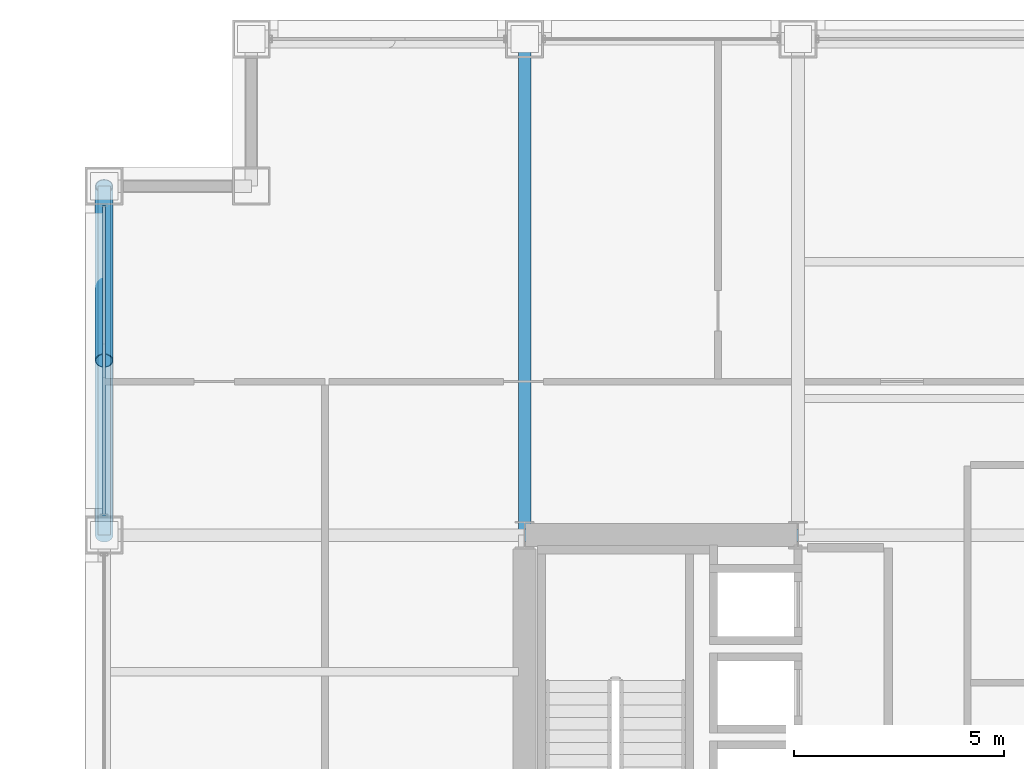
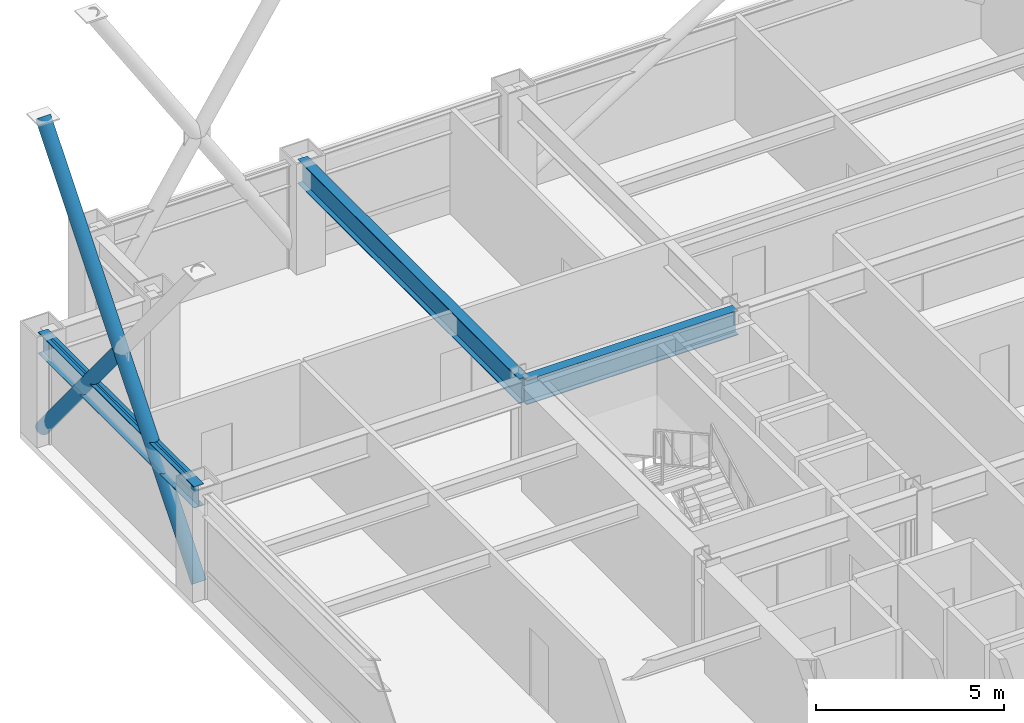
# One storey, part 16 of 29: 3 beams, 3 members, 1 element without a shape of its own.
"""IFC4 building model written with IfcOpenShell, lengths in metres."""

from ifc_helpers import new_model, si_unit, direction, frame, origin, origin_2d, place, context, subcontext, project, spatial, hollow_rectangle, hollow_circle, i_section, extrude, material, layer, layer_set, material_profile, profile_set, type_object, element, aggregate, save


model = new_model("IFC4")

# Units and contexts
model_context = context("Model", 3, precision=1e-05, world=origin(), true_north=direction((0.0, 1.0)))
body_context = subcontext(model_context, "Body", "Model", "MODEL_VIEW")
ifc_project = project(units=[si_unit("LENGTHUNIT", "METRE"), si_unit("AREAUNIT", "SQUARE_METRE"), si_unit("VOLUMEUNIT", "CUBIC_METRE"), si_unit("PLANEANGLEUNIT", "RADIAN"), si_unit("MASSUNIT", "GRAM", prefix="KILO")], contexts=[model_context])

# Site, building, storey
site_placement = place(None, origin())
site = spatial("IfcSite", under=ifc_project, at=site_placement, CompositionType="ELEMENT")
building_placement = place(site_placement, origin())
building = spatial("IfcBuilding", under=site, at=building_placement, Name="Brelmoor Portico Tower", CompositionType="ELEMENT")
storey_placement = place(building_placement, frame((0.0, 0.0, 67.199951171875)))
storey = spatial("IfcBuildingStorey", under=building, at=storey_placement, Name="L17", CompositionType="ELEMENT", Elevation=67.199951171875)

# Beams
ifc_material_1 = material(Name="Steel Q355B", Category="steel")
ifc_material_profile_1 = material_profile(ifc_material_1, i_section(OverallWidth=0.300048828125, OverallDepth=0.800048828125, WebThickness=0.013916015625, FlangeThickness=0.02587890625, at=origin_2d()), Name="HN 800x300x14x26")
ifc_profile_set_1 = profile_set([ifc_material_profile_1], Name="Steel Q355B")
beam_type_1 = type_object("IfcBeamType", Name="BM-PG-800", PredefinedType="BEAM", material=ifc_profile_set_1)
beam_1_placement = place(storey_placement, frame((-14.550048828125, 9.75, 3.0), z_axis=(0.0, 1.0, 0.0), x_axis=(-1.0, 0.0, 0.0)))
element("IfcBeam", 1, at=beam_1_placement, inside=storey, type_object=beam_type_1, Name="L17 Primary Floor Girder PG-06", PredefinedType="BEAM", context=body_context, shape_type="SweptSolid", body=[
    extrude(i_section(OverallWidth=0.300048828125, OverallDepth=0.800048828125, WebThickness=0.013916015625, FlangeThickness=0.02587890625, at=origin_2d()), origin(), (0.0, 0.0, 1.0), 11.800048828125),
])
beam_2_placement = place(storey_placement, frame((-14.550048828125, 9.75, 3.0), z_axis=(1.0, 0.0, 0.0), x_axis=(0.0, 1.0, 0.0)))
element("IfcBeam", 2, at=beam_2_placement, inside=storey, type_object=beam_type_1, Name="L17 Primary Floor Girder PG-28", PredefinedType="BEAM", context=body_context, shape_type="SweptSolid", body=[
    extrude(i_section(OverallWidth=0.300048828125, OverallDepth=0.800048828125, WebThickness=0.013916015625, FlangeThickness=0.02587890625, at=origin_2d()), origin(), (0.0, 0.0, 1.0), 6.5),
])
ifc_material_profile_2 = material_profile(ifc_material_1, i_section(OverallWidth=0.300048828125, OverallDepth=0.699951171875, WebThickness=0.012939453125, FlangeThickness=0.02392578125, at=origin_2d()), Name="HN 700x300x13x24")
ifc_profile_set_2 = profile_set([ifc_material_profile_2], Name="Steel Q355B")
beam_type_2 = type_object("IfcBeamType", Name="BM-SP-700", PredefinedType="SPANDREL", material=ifc_profile_set_2)
beam_3_placement = place(storey_placement, frame((-24.550048828125, 9.75, 3.050048828125), z_axis=(0.0, 1.0, 0.0), x_axis=(-1.0, 0.0, 0.0)))
element("IfcBeam", 3, at=beam_3_placement, inside=storey, type_object=beam_type_2, Name="L17 Perimeter Spandrel Beam SP-17", PredefinedType="SPANDREL", context=body_context, shape_type="SweptSolid", body=[
    extrude(i_section(OverallWidth=0.300048828125, OverallDepth=0.699951171875, WebThickness=0.012939453125, FlangeThickness=0.02392578125, at=origin_2d()), origin(), (0.0, 0.0, 1.0), 8.300048828125),
])

# Members
ifc_material_profile_3 = material_profile(ifc_material_1, hollow_circle(Radius=0.212890625, WallThickness=0.02001953125, at=origin_2d()), Name="CHS 426x20")
ifc_profile_set_3 = profile_set([ifc_material_profile_3], Name="Steel Q355B")
member_type_1 = type_object("IfcMemberType", Name="MB-BELT-DIAG1", PredefinedType="BRACE", material=ifc_profile_set_3)
member_1_placement = place(storey_placement, frame((-24.550048828125, 9.75, 0.25), z_axis=(0.0, 0.634901100083, 0.772593420315), x_axis=(-1.0, 0.0, 0.0)))
element("IfcMember", 4, at=member_1_placement, inside=storey, type_object=member_type_1, Name="L17 Continuous Mega-X Brace 039A", PredefinedType="BRACE", context=body_context, shape_type="SweptSolid", body=[
    extrude(hollow_circle(Radius=0.212890625, WallThickness=0.02001953125, at=origin_2d()), origin(), (0.0, 0.0, 1.0), 13.072998046875),
])
member_2_placement = place(storey_placement, frame((-24.550048828125, 18.050048828125, 0.25), z_axis=(0.0, -0.634912247128, 0.772584259771), x_axis=(1.0, 0.0, 0.0)))
element("IfcMember", 5, at=member_2_placement, inside=storey, type_object=member_type_1, Name="L17 Split Mega-X Brace 039B1", PredefinedType="BRACE", context=body_context, shape_type="SweptSolid", body=[
    extrude(hollow_circle(Radius=0.212890625, WallThickness=0.02001953125, at=origin_2d()), origin(), (0.0, 0.0, 1.0), 6.53662109375),
])

# Curtain wall, member
ifc_material_2 = material(Name="Anodised Aluminium Alloy 6063-T6", Category="aluminium")
ifc_layer = layer(ifc_material_2, 0.179931640625)
ifc_layer_set = layer_set([ifc_layer], Name="Anodised Aluminium Alloy 6063-T6")
curtain_wall_type = type_object("IfcCurtainWallType", Name="CW-TOWER-Z1-XB", PredefinedType="NOTDEFINED", material=ifc_layer_set)
curtain_wall_placement = place(storey_placement, origin())
curtain_wall = element("IfcCurtainWall", 6, at=curtain_wall_placement, inside=storey, type_object=curtain_wall_type, Name="L17 Curtain Wall CW-L17-3R-2", PredefinedType="NOTDEFINED")
ifc_material_profile_4 = material_profile(ifc_material_2, hollow_rectangle(XDim=0.06494140625, YDim=0.139892578125, WallThickness=0.00390625, at=origin_2d()), Name="ALU TRANSOM 65x140")
ifc_profile_set_4 = profile_set([ifc_material_profile_4], Name="Anodised Aluminium Alloy 6063-T6")
member_type_2 = type_object("IfcMemberType", Name="MB-CW-TRAN-140", PredefinedType="USERDEFINED", material=ifc_profile_set_4)
member_3_placement = place(storey_placement, frame((-24.550048828125, 10.2099609375, 3.330078125), z_axis=(0.0, 1.0, 0.0), x_axis=(-1.0, 0.0, 0.0)))
member_3 = element("IfcMember", 7, at=member_3_placement, type_object=member_type_2, Name="CW-L17-3R-2 Transom 1-00", ObjectType="TRANSOM", PredefinedType="USERDEFINED", context=body_context, shape_type="SweptSolid", body=[
    extrude(hollow_rectangle(XDim=0.06494140625, YDim=0.139892578125, WallThickness=0.00390625, at=origin_2d()), origin(), (0.0, 0.0, 1.0), 7.380126953125),
])
aggregate(curtain_wall, [member_3])

save(model, "model.ifc")
